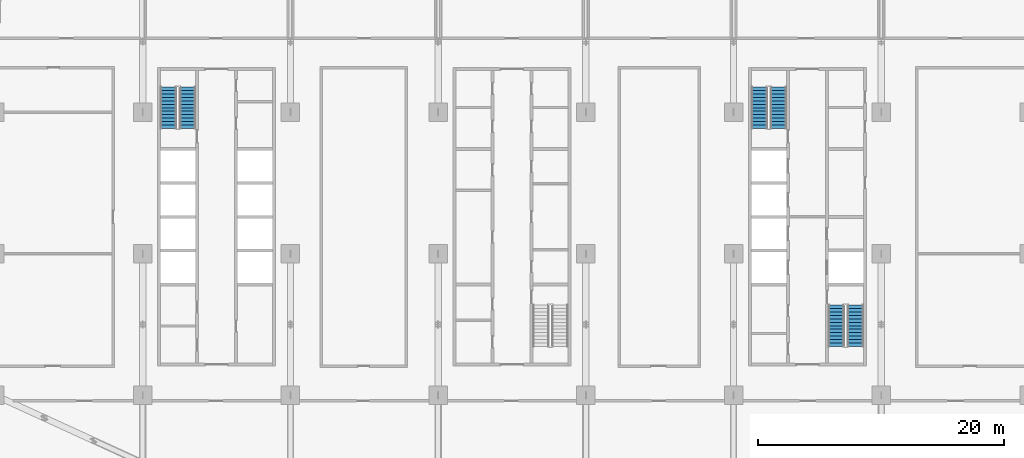
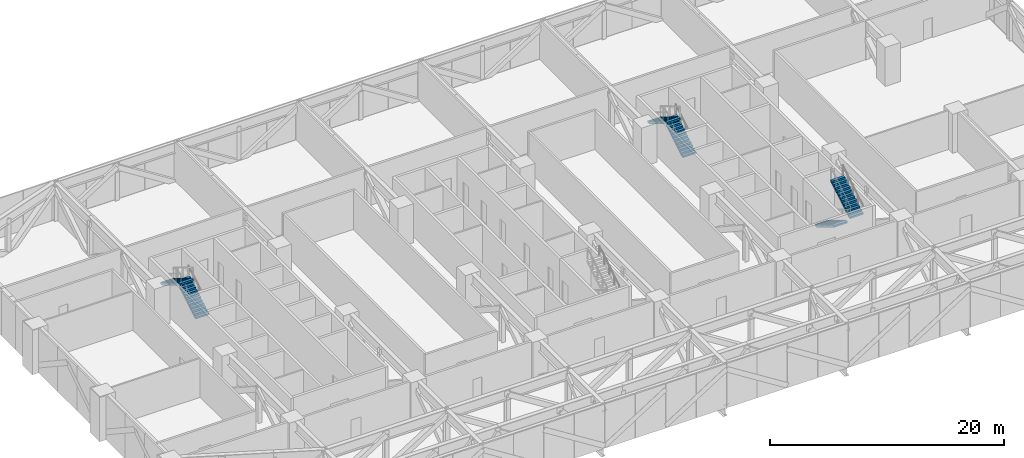
# One storey, part 14 of 26: 6 stair flights, 3 elements without a shape of their own.
"""IFC4 building model written with IfcOpenShell, lengths in metres."""

from ifc_helpers import new_model, si_unit, direction, frame, origin, place, context, subcontext, project, spatial, polyline, outline, extrude, material, type_object, element, aggregate, save


model = new_model("IFC4")

# Units and contexts
model_context = context("Model", 3, precision=1e-05, world=origin(), true_north=direction((0.0, 1.0)))
body_context = subcontext(model_context, "Body", "Model", "MODEL_VIEW")
ifc_project = project(units=[si_unit("LENGTHUNIT", "METRE"), si_unit("AREAUNIT", "SQUARE_METRE"), si_unit("VOLUMEUNIT", "CUBIC_METRE"), si_unit("PLANEANGLEUNIT", "RADIAN"), si_unit("MASSUNIT", "GRAM", prefix="KILO")], contexts=[model_context])

# Site, building, storey
site_placement = place(None, origin())
site = spatial("IfcSite", under=ifc_project, at=site_placement, CompositionType="ELEMENT")
building_placement = place(site_placement, origin())
building = spatial("IfcBuilding", under=site, at=building_placement, Name="Mahtab Terrace Research Tower", CompositionType="ELEMENT")
storey_placement = place(building_placement, frame((0.0, 0.0, 80.39990234375)))
storey = spatial("IfcBuildingStorey", under=building, at=storey_placement, Name="L18", CompositionType="ELEMENT", Elevation=80.39990234375)

# Stair, stair flights
ifc_material_1 = material(Name="Exit stair half-turn")
stair_type = type_object("IfcStairType", Name="Exit stair half-turn", PredefinedType="HALF_TURN_STAIR", material=ifc_material_1)
stair_1_placement = place(storey_placement, origin())
stair_1 = element("IfcStair", 1, at=stair_1_placement, inside=storey, type_object=stair_type, Name="L18 Protected exit stair ST1", PredefinedType="HALF_TURN_STAIR")
ifc_material_2 = material(Name="Concrete C40/50", Category="concrete")
stair_flight_type = type_object("IfcStairFlightType", Name="Exit stair flight 1300", PredefinedType="STRAIGHT", material=ifc_material_2)
stair_flight_1_placement = place(storey_placement, frame((-26.35009765625, 10.175048828125, 0.0), z_axis=(0.0, 0.0, 1.0), x_axis=(0.0, 1.0, 0.0)))
stair_flight_1 = element("IfcStairFlight", 2, at=stair_flight_1_placement, type_object=stair_flight_type, Name="ST1 flight 1", NumberOfRisers=13, NumberOfTreads=12, PredefinedType="STRAIGHT", RiserHeight=0.169230769, TreadLength=0.28, context=body_context, shape_type="SweptSolid", body=[
    extrude(outline(polyline([(0.0, 0.0), (0.0, 0.169189453125), (0.280029296875, 0.169189453125), (0.280029296875, 0.33837890625), (0.56005859375, 0.33837890625), (0.56005859375, 0.5078125), (0.840087890625, 0.5078125), (0.840087890625, 0.677001953125), (1.1201171875, 0.677001953125), (1.1201171875, 0.84619140625), (1.39990234375, 0.84619140625), (1.39990234375, 1.015380859375), (1.679931640625, 1.015380859375), (1.679931640625, 1.1845703125), (1.9599609375, 1.1845703125), (1.9599609375, 1.353759765625), (2.239990234375, 1.353759765625), (2.239990234375, 1.523193359375), (2.52001953125, 1.523193359375), (2.52001953125, 1.6923828125), (2.800048828125, 1.6923828125), (2.800048828125, 1.861572265625), (3.080078125, 1.861572265625), (3.080078125, 2.03076171875), (3.360107421875, 2.03076171875), (3.360107421875, 2.199951171875), (3.360107421875, 1.855712890625), (0.289794921875, 0.0), (0.0, 0.0)])), frame((0.0, 0.64990234375, 0.0), z_axis=(0.0, -1.0, 0.0), x_axis=(1.0, 0.0, 0.0)), (0.0, 0.0, 1.0), 1.300048828125),
])
stair_flight_2_placement = place(storey_placement, frame((-27.89990234375, 13.534912109375, 2.2001953125), z_axis=(0.0, 0.0, 1.0), x_axis=(0.0, -1.0, 0.0)))
stair_flight_2 = element("IfcStairFlight", 3, at=stair_flight_2_placement, type_object=stair_flight_type, Name="ST1 flight 2", NumberOfRisers=13, NumberOfTreads=12, PredefinedType="STRAIGHT", RiserHeight=0.169230769, TreadLength=0.28, context=body_context, shape_type="SweptSolid", body=[
    extrude(outline(polyline([(0.0, 0.0), (0.0, 0.169189453125), (0.280029296875, 0.169189453125), (0.280029296875, 0.33837890625), (0.56005859375, 0.33837890625), (0.56005859375, 0.5078125), (0.840087890625, 0.5078125), (0.840087890625, 0.677001953125), (1.1201171875, 0.677001953125), (1.1201171875, 0.84619140625), (1.39990234375, 0.84619140625), (1.39990234375, 1.015380859375), (1.679931640625, 1.015380859375), (1.679931640625, 1.1845703125), (1.9599609375, 1.1845703125), (1.9599609375, 1.353759765625), (2.239990234375, 1.353759765625), (2.239990234375, 1.523193359375), (2.52001953125, 1.523193359375), (2.52001953125, 1.6923828125), (2.800048828125, 1.6923828125), (2.800048828125, 1.861572265625), (3.080078125, 1.861572265625), (3.080078125, 2.03076171875), (3.360107421875, 2.03076171875), (3.360107421875, 2.199951171875), (3.360107421875, 1.855712890625), (0.289794921875, 0.0), (0.0, 0.0)])), frame((0.0, 0.64990234375, 0.0), z_axis=(0.0, -1.0, 0.0), x_axis=(1.0, 0.0, 0.0)), (0.0, 0.0, 1.0), 1.300048828125),
])
aggregate(stair_1, [stair_flight_1, stair_flight_2])

stair_2_placement = place(storey_placement, origin())
stair_2 = element("IfcStair", 4, at=stair_2_placement, inside=storey, type_object=stair_type, Name="L18 Protected exit stair ST3", PredefinedType="HALF_TURN_STAIR")
stair_flight_3_placement = place(storey_placement, frame((21.64990234375, 10.175048828125, 0.0), z_axis=(0.0, 0.0, 1.0), x_axis=(0.0, 1.0, 0.0)))
stair_flight_3 = element("IfcStairFlight", 5, at=stair_flight_3_placement, type_object=stair_flight_type, Name="ST3 flight 1", NumberOfRisers=13, NumberOfTreads=12, PredefinedType="STRAIGHT", RiserHeight=0.169230769, TreadLength=0.28, context=body_context, shape_type="SweptSolid", body=[
    extrude(outline(polyline([(0.0, 0.0), (0.0, 0.169189453125), (0.280029296875, 0.169189453125), (0.280029296875, 0.33837890625), (0.56005859375, 0.33837890625), (0.56005859375, 0.5078125), (0.840087890625, 0.5078125), (0.840087890625, 0.677001953125), (1.1201171875, 0.677001953125), (1.1201171875, 0.84619140625), (1.39990234375, 0.84619140625), (1.39990234375, 1.015380859375), (1.679931640625, 1.015380859375), (1.679931640625, 1.1845703125), (1.9599609375, 1.1845703125), (1.9599609375, 1.353759765625), (2.239990234375, 1.353759765625), (2.239990234375, 1.523193359375), (2.52001953125, 1.523193359375), (2.52001953125, 1.6923828125), (2.800048828125, 1.6923828125), (2.800048828125, 1.861572265625), (3.080078125, 1.861572265625), (3.080078125, 2.03076171875), (3.360107421875, 2.03076171875), (3.360107421875, 2.199951171875), (3.360107421875, 1.855712890625), (0.289794921875, 0.0), (0.0, 0.0)])), frame((0.0, 0.64990234375, 0.0), z_axis=(0.0, -1.0, 0.0), x_axis=(1.0, 0.0, 0.0)), (0.0, 0.0, 1.0), 1.300048828125),
])
stair_flight_4_placement = place(storey_placement, frame((20.10009765625, 13.534912109375, 2.2001953125), z_axis=(0.0, 0.0, 1.0), x_axis=(0.0, -1.0, 0.0)))
stair_flight_4 = element("IfcStairFlight", 6, at=stair_flight_4_placement, type_object=stair_flight_type, Name="ST3 flight 2", NumberOfRisers=13, NumberOfTreads=12, PredefinedType="STRAIGHT", RiserHeight=0.169230769, TreadLength=0.28, context=body_context, shape_type="SweptSolid", body=[
    extrude(outline(polyline([(0.0, 0.0), (0.0, 0.169189453125), (0.280029296875, 0.169189453125), (0.280029296875, 0.33837890625), (0.56005859375, 0.33837890625), (0.56005859375, 0.5078125), (0.840087890625, 0.5078125), (0.840087890625, 0.677001953125), (1.1201171875, 0.677001953125), (1.1201171875, 0.84619140625), (1.39990234375, 0.84619140625), (1.39990234375, 1.015380859375), (1.679931640625, 1.015380859375), (1.679931640625, 1.1845703125), (1.9599609375, 1.1845703125), (1.9599609375, 1.353759765625), (2.239990234375, 1.353759765625), (2.239990234375, 1.523193359375), (2.52001953125, 1.523193359375), (2.52001953125, 1.6923828125), (2.800048828125, 1.6923828125), (2.800048828125, 1.861572265625), (3.080078125, 1.861572265625), (3.080078125, 2.03076171875), (3.360107421875, 2.03076171875), (3.360107421875, 2.199951171875), (3.360107421875, 1.855712890625), (0.289794921875, 0.0), (0.0, 0.0)])), frame((0.0, 0.64990234375, 0.0), z_axis=(0.0, -1.0, 0.0), x_axis=(1.0, 0.0, 0.0)), (0.0, 0.0, 1.0), 1.300048828125),
])
aggregate(stair_2, [stair_flight_3, stair_flight_4])

stair_3_placement = place(storey_placement, origin())
stair_3 = element("IfcStair", 7, at=stair_3_placement, inside=storey, type_object=stair_type, Name="L18 Protected exit stair ST4", PredefinedType="HALF_TURN_STAIR")
stair_flight_5_placement = place(storey_placement, frame((26.35009765625, -4.175048828125, 0.0), z_axis=(0.0, 0.0, 1.0), x_axis=(0.0, -1.0, 0.0)))
stair_flight_5 = element("IfcStairFlight", 8, at=stair_flight_5_placement, type_object=stair_flight_type, Name="ST4 flight 1", NumberOfRisers=13, NumberOfTreads=12, PredefinedType="STRAIGHT", RiserHeight=0.169230769, TreadLength=0.28, context=body_context, shape_type="SweptSolid", body=[
    extrude(outline(polyline([(0.0, 0.0), (0.0, 0.169189453125), (0.280029296875, 0.169189453125), (0.280029296875, 0.33837890625), (0.56005859375, 0.33837890625), (0.56005859375, 0.5078125), (0.840087890625, 0.5078125), (0.840087890625, 0.677001953125), (1.1201171875, 0.677001953125), (1.1201171875, 0.84619140625), (1.39990234375, 0.84619140625), (1.39990234375, 1.015380859375), (1.679931640625, 1.015380859375), (1.679931640625, 1.1845703125), (1.9599609375, 1.1845703125), (1.9599609375, 1.353759765625), (2.239990234375, 1.353759765625), (2.239990234375, 1.523193359375), (2.52001953125, 1.523193359375), (2.52001953125, 1.6923828125), (2.800048828125, 1.6923828125), (2.800048828125, 1.861572265625), (3.080078125, 1.861572265625), (3.080078125, 2.03076171875), (3.360107421875, 2.03076171875), (3.360107421875, 2.199951171875), (3.360107421875, 1.855712890625), (0.289794921875, 0.0), (0.0, 0.0)])), frame((0.0, 0.64990234375, 0.0), z_axis=(0.0, -1.0, 0.0), x_axis=(1.0, 0.0, 0.0)), (0.0, 0.0, 1.0), 1.300048828125),
])
stair_flight_6_placement = place(storey_placement, frame((27.89990234375, -7.534912109375, 2.2001953125), z_axis=(0.0, 0.0, 1.0), x_axis=(0.0, 1.0, 0.0)))
stair_flight_6 = element("IfcStairFlight", 9, at=stair_flight_6_placement, type_object=stair_flight_type, Name="ST4 flight 2", NumberOfRisers=13, NumberOfTreads=12, PredefinedType="STRAIGHT", RiserHeight=0.169230769, TreadLength=0.28, context=body_context, shape_type="SweptSolid", body=[
    extrude(outline(polyline([(0.0, 0.0), (0.0, 0.169189453125), (0.280029296875, 0.169189453125), (0.280029296875, 0.33837890625), (0.56005859375, 0.33837890625), (0.56005859375, 0.5078125), (0.840087890625, 0.5078125), (0.840087890625, 0.677001953125), (1.1201171875, 0.677001953125), (1.1201171875, 0.84619140625), (1.39990234375, 0.84619140625), (1.39990234375, 1.015380859375), (1.679931640625, 1.015380859375), (1.679931640625, 1.1845703125), (1.9599609375, 1.1845703125), (1.9599609375, 1.353759765625), (2.239990234375, 1.353759765625), (2.239990234375, 1.523193359375), (2.52001953125, 1.523193359375), (2.52001953125, 1.6923828125), (2.800048828125, 1.6923828125), (2.800048828125, 1.861572265625), (3.080078125, 1.861572265625), (3.080078125, 2.03076171875), (3.360107421875, 2.03076171875), (3.360107421875, 2.199951171875), (3.360107421875, 1.855712890625), (0.289794921875, 0.0), (0.0, 0.0)])), frame((0.0, 0.64990234375, 0.0), z_axis=(0.0, -1.0, 0.0), x_axis=(1.0, 0.0, 0.0)), (0.0, 0.0, 1.0), 1.300048828125),
])
aggregate(stair_3, [stair_flight_5, stair_flight_6])

save(model, "model.ifc")
